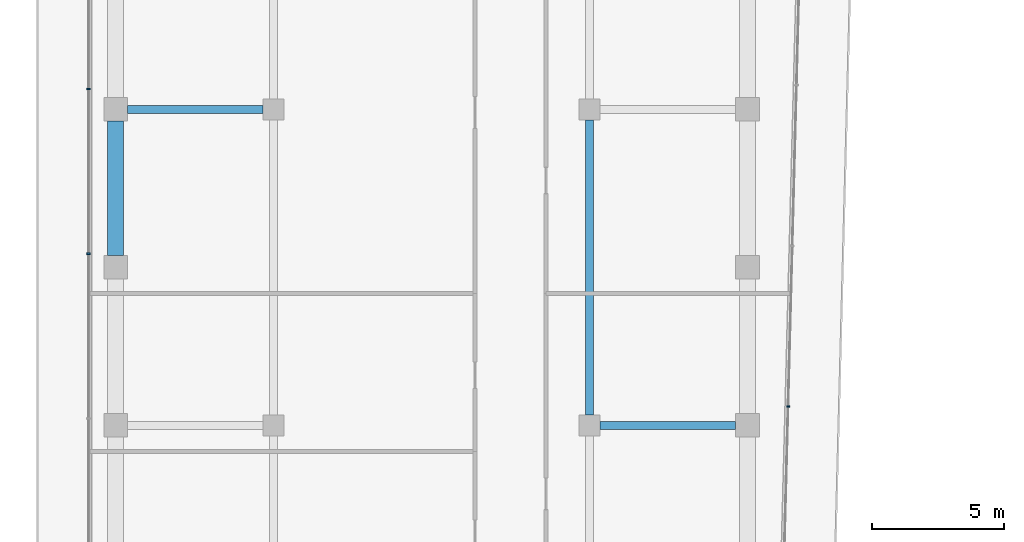
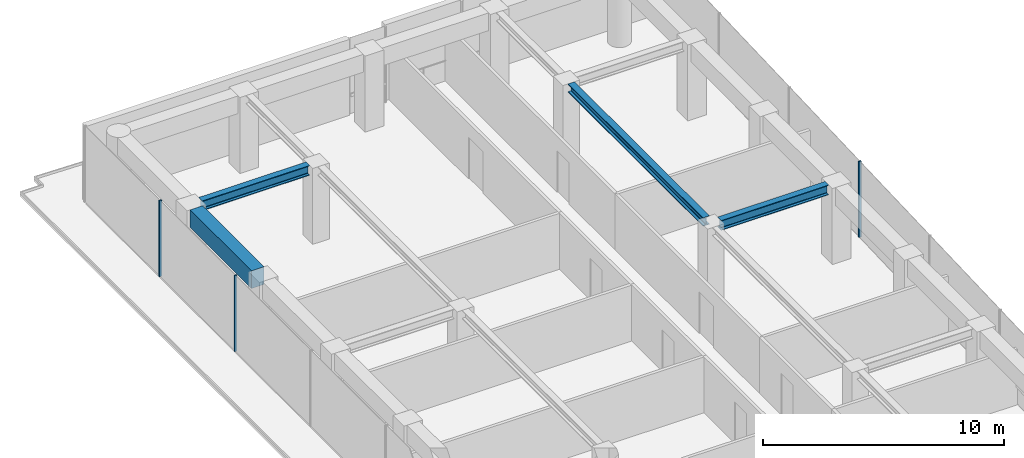
# One storey, part 13 of 23: 4 beams, 3 members, 2 elements without a shape of their own.
"""IFC4 building model written with IfcOpenShell, lengths in metres."""

from ifc_helpers import new_model, si_unit, direction, frame, origin, origin_2d, place, context, subcontext, project, spatial, rectangle, i_section, extrude, material, layer, layer_set, material_profile, profile_set, type_object, element, aggregate, save


model = new_model("IFC4")

# Units and contexts
model_context = context("Model", 3, precision=1e-05, world=origin(), true_north=direction((0.0, 1.0)))
body_context = subcontext(model_context, "Body", "Model", "MODEL_VIEW")
ifc_project = project(units=[si_unit("LENGTHUNIT", "METRE"), si_unit("AREAUNIT", "SQUARE_METRE"), si_unit("VOLUMEUNIT", "CUBIC_METRE"), si_unit("PLANEANGLEUNIT", "RADIAN"), si_unit("MASSUNIT", "GRAM", prefix="KILO")], contexts=[model_context])

# Site, building, storey
site_placement = place(None, origin())
site = spatial("IfcSite", under=ifc_project, at=site_placement, CompositionType="ELEMENT")
building_placement = place(site_placement, origin())
building = spatial("IfcBuilding", under=site, at=building_placement, Name="Welwitschia Terrace Campus", CompositionType="ELEMENT")
storey_placement = place(building_placement, frame((0.0, 0.0, 117.199951171875)))
storey = spatial("IfcBuildingStorey", under=building, at=storey_placement, Name="L26", CompositionType="ELEMENT", Elevation=117.199951171875)

# Beam
ifc_material_1 = material(Name="Steel S355", Category="steel")
ifc_material_profile_1 = material_profile(ifc_material_1, i_section(OverallWidth=0.306884765625, OverallDepth=0.431884765625, WebThickness=0.02099609375, FlangeThickness=0.0400390625, FilletRadius=0.027099609375, at=origin_2d()))
ifc_profile_set_1 = profile_set([ifc_material_profile_1], Name="Steel S355")
beam_type_1 = type_object("IfcBeamType", Name="Interior girder HE 400 M", PredefinedType="BEAM", material=ifc_profile_set_1)
beam_1_placement = place(storey_placement, frame((18.0, 52.400390625, 3.634033203125), z_axis=(0.0, 1.0, 0.0), x_axis=(-1.0, 0.0, 0.0)))
element("IfcBeam", 1, at=beam_1_placement, inside=storey, type_object=beam_type_1, Name="Girder GB3", PredefinedType="BEAM", context=body_context, shape_type="SweptSolid", body=[
    extrude(i_section(OverallWidth=0.306884765625, OverallDepth=0.431884765625, WebThickness=0.02099609375, FlangeThickness=0.0400390625, FilletRadius=0.027099609375, at=origin_2d()), origin(), (0.0, 0.0, 1.0), 11.19921875),
])

# Curtain wall, member
ifc_material_2 = material(Name="Bronze anodised aluminium", Category="aluminium")
ifc_layer = layer(ifc_material_2, 0.1201171875)
ifc_layer_set = layer_set([ifc_layer], Name="Bronze anodised aluminium")
curtain_wall_type = type_object("IfcCurtainWallType", Name="Curtain wall CW2 tower 6000", PredefinedType="NOTDEFINED", material=ifc_layer_set)
curtain_wall_1_placement = place(storey_placement, origin())
curtain_wall_1 = element("IfcCurtainWall", 2, at=curtain_wall_1_placement, inside=storey, type_object=curtain_wall_type, Name="CW L26.10.0", PredefinedType="NOTDEFINED")
ifc_material_3 = material(Name="Bronze anodised aluminium", Category="aluminium")
ifc_material_profile_2 = material_profile(ifc_material_3, rectangle(XDim=0.1201171875, YDim=0.06005859375, at=origin_2d()))
ifc_profile_set_2 = profile_set([ifc_material_profile_2], Name="Bronze anodised aluminium")
member_type = type_object("IfcMemberType", Name="Mullion 60x120", PredefinedType="MULLION", material=ifc_profile_set_2)
member_1_placement = place(storey_placement, frame((25.542236328125, 52.7119140625, 0.0), z_axis=(0.0, 0.0, 1.0), x_axis=(-0.999657324976, 0.026176948308, 0.0)))
member_1 = element("IfcMember", 3, at=member_1_placement, type_object=member_type, Name="Mullion L26.10.0.3", PredefinedType="MULLION", context=body_context, shape_type="SweptSolid", body=[
    extrude(rectangle(XDim=0.1201171875, YDim=0.06005859375, at=origin_2d()), origin(), (0.0, 0.0, 1.0), 3.85009765625),
])
aggregate(curtain_wall_1, [member_1])

# Curtain wall, members
curtain_wall_2_placement = place(storey_placement, origin())
curtain_wall_2 = element("IfcCurtainWall", 4, at=curtain_wall_2_placement, inside=storey, type_object=curtain_wall_type, Name="CW L26.12.0", PredefinedType="NOTDEFINED")
member_2_placement = place(storey_placement, frame((-1.030029296875, 64.7734375, 0.0), z_axis=(0.0, 0.0, 1.0), x_axis=(1.0, 0.0, 0.0)))
member_2 = element("IfcMember", 5, at=member_2_placement, type_object=member_type, Name="Mullion L26.12.0.1", PredefinedType="MULLION", context=body_context, shape_type="SweptSolid", body=[
    extrude(rectangle(XDim=0.1201171875, YDim=0.06005859375, at=origin_2d()), origin(), (0.0, 0.0, 1.0), 3.85009765625),
])
member_3_placement = place(storey_placement, frame((-1.030029296875, 58.516845703125, 0.0), z_axis=(0.0, 0.0, 1.0), x_axis=(1.0, 0.0, 0.0)))
member_3 = element("IfcMember", 6, at=member_3_placement, type_object=member_type, Name="Mullion L26.12.0.2", PredefinedType="MULLION", context=body_context, shape_type="SweptSolid", body=[
    extrude(rectangle(XDim=0.1201171875, YDim=0.06005859375, at=origin_2d()), origin(), (0.0, 0.0, 1.0), 3.85009765625),
])
aggregate(curtain_wall_2, [member_2, member_3])

# Beams
ifc_material_4 = material(Name="Steel S355", Category="steel")
ifc_material_profile_3 = material_profile(ifc_material_4, i_section(OverallWidth=0.300048828125, OverallDepth=0.5, WebThickness=0.014404296875, FlangeThickness=0.028076171875, FilletRadius=0.027099609375, at=origin_2d()))
ifc_profile_set_3 = profile_set([ifc_material_profile_3], Name="Steel S355")
beam_type_2 = type_object("IfcBeamType", Name="Primary beam HE 500 B", PredefinedType="BEAM", material=ifc_profile_set_3)
for number, where, z_axis, x_axis, name in (
    (7, (23.549560546875, 52.0, 3.60009765625), (-1.0, 0.0, 0.0), (0.0, -1.0, 0.0), "Primary beam PB3"),
    (8, (0.450439453125, 64.0, 3.60009765625), (1.0, 0.0, 0.0), (0.0, 1.0, 0.0), "Primary beam PB3"),
):
    element("IfcBeam", number, at=place(storey_placement, frame(where, z_axis=z_axis, x_axis=x_axis)), inside=storey, type_object=beam_type_2, Name=name, PredefinedType="BEAM", context=body_context, shape_type="SweptSolid", body=[
        extrude(i_section(OverallWidth=0.300048828125, OverallDepth=0.5, WebThickness=0.014404296875, FlangeThickness=0.028076171875, FilletRadius=0.027099609375, at=origin_2d()), origin(), (0.0, 0.0, 1.0), 5.149169921875),
    ])
ifc_material_5 = material(Name="Concrete C60/75", Category="concrete")
ifc_material_profile_4 = material_profile(ifc_material_5, rectangle(XDim=0.60009765625, YDim=0.89990234375, at=origin_2d()))
ifc_profile_set_4 = profile_set([ifc_material_profile_4], Name="Concrete C60/75")
beam_type_3 = type_object("IfcBeamType", Name="Ring spandrel 600x900", PredefinedType="SPANDREL", material=ifc_profile_set_4)
beam_2_placement = place(storey_placement, frame((0.0, 63.549560546875, 3.400146484375), z_axis=(0.0, -1.0, 0.0), x_axis=(1.0, 0.0, 0.0)))
element("IfcBeam", 9, at=beam_2_placement, inside=storey, type_object=beam_type_3, Name="Spandrel SP2", PredefinedType="SPANDREL", context=body_context, shape_type="SweptSolid", body=[
    extrude(rectangle(XDim=0.60009765625, YDim=0.89990234375, at=origin_2d()), origin(), (0.0, 0.0, 1.0), 5.09912109375),
])

save(model, "model.ifc")
